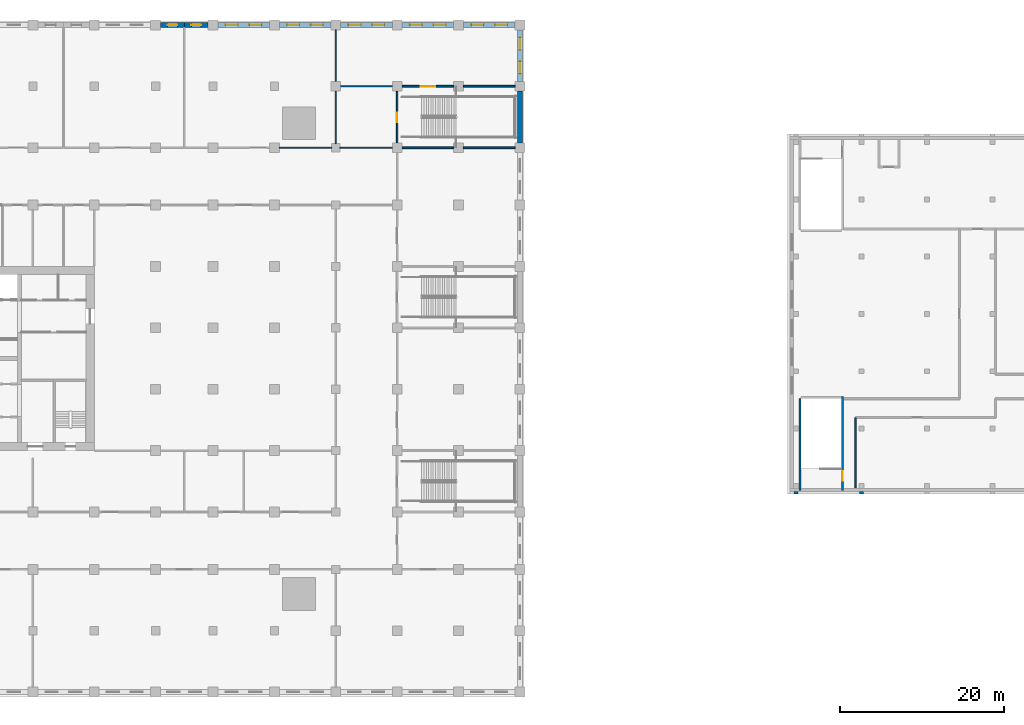
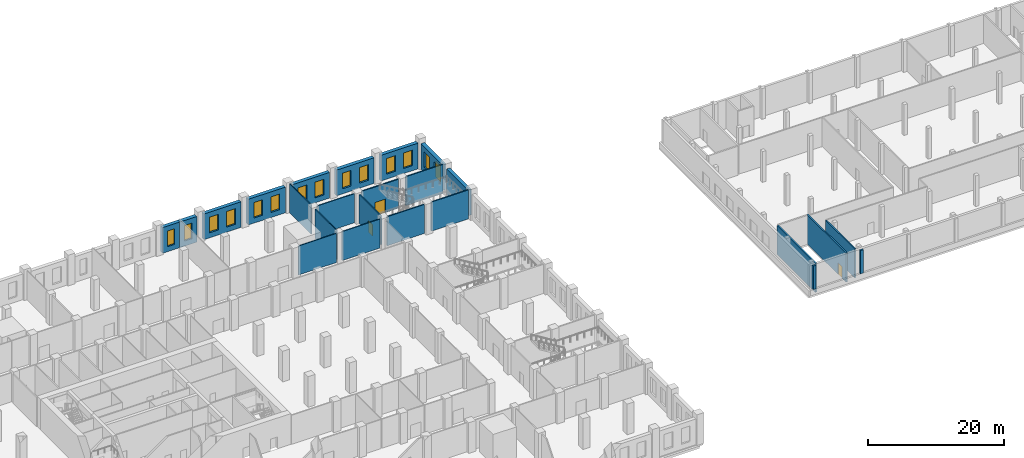
# One storey, part 10 of 25: 24 walls, 14 windows, 3 doors, 17 openings.
"""IFC4 building model written with IfcOpenShell, lengths in metres."""

from ifc_helpers import new_model, si_unit, direction, frame, frame_2d, origin, place, context, subcontext, project, spatial, rectangle, extrude, material, layer, layer_set, type_object, element, fill, save


model = new_model("IFC4")

# Units and contexts
model_context = context("Model", 3, precision=1e-05, world=origin(), true_north=direction((0.0, 1.0)))
body_context = subcontext(model_context, "Body", "Model", "MODEL_VIEW")
ifc_project = project(units=[si_unit("LENGTHUNIT", "METRE"), si_unit("AREAUNIT", "SQUARE_METRE"), si_unit("VOLUMEUNIT", "CUBIC_METRE"), si_unit("PLANEANGLEUNIT", "RADIAN"), si_unit("MASSUNIT", "GRAM", prefix="KILO")], contexts=[model_context])

# Site, building, storey
site_placement = place(None, origin())
site = spatial("IfcSite", under=ifc_project, at=site_placement, CompositionType="ELEMENT")
building_placement = place(site_placement, origin())
building = spatial("IfcBuilding", under=site, at=building_placement, Name="Tamorin Gate", CompositionType="ELEMENT")
storey_placement = place(building_placement, frame((0.0, 0.0, 23.5)))
storey = spatial("IfcBuildingStorey", under=building, at=storey_placement, Name="L04", CompositionType="ELEMENT", Elevation=23.5)

# Walls
ifc_material_1 = material(Name="Dense blockwork, plastered", Category="masonry")
ifc_layer_1 = layer(ifc_material_1, 0.199951171875)
ifc_layer_set_1 = layer_set([ifc_layer_1], Name="Blockwork partition 200")
wall_type_1 = type_object("IfcWallType", Name="Blockwork partition 200", PredefinedType="PARTITIONING", material=ifc_layer_set_1)
wall_1_placement = place(storey_placement, frame((153.0, 55.449951171875, 0.0), z_axis=(0.0, 0.0, 1.0), x_axis=(0.0, 1.0, 0.0)))
element("IfcWall", 1, at=wall_1_placement, inside=storey, type_object=wall_type_1, Name="Partition", PredefinedType="PARTITIONING", context=body_context, shape_type="SweptSolid", body=[
    extrude(rectangle(XDim=8.580078125, YDim=0.199951171875, at=frame_2d((4.2900390625, 0.0))), origin(), (0.0, 0.0, 1.0), 5.199951171875),
])
ifc_material_2 = material(Name="Concrete C40/50", Category="concrete")
ifc_layer_2 = layer(ifc_material_2, 0.25)
ifc_layer_set_2 = layer_set([ifc_layer_2], Name="Museum stair and lift enclosure wall 250 C40/50")
wall_type_2 = type_object("IfcWallType", Name="Museum stair and lift enclosure wall 250 C40/50", PredefinedType="SHEAR", material=ifc_layer_set_2)
wall_2_placement = place(storey_placement, frame((146.175048828125, 55.14990234375, 0.0), z_axis=(0.0, 0.0, 1.0), x_axis=(0.0, 1.0, 0.0)))
element("IfcWall", 2, at=wall_2_placement, inside=storey, type_object=wall_type_2, Name="Stair PS8 wall", PredefinedType="SHEAR", context=body_context, shape_type="SweptSolid", body=[
    extrude(rectangle(XDim=11.210205078125, YDim=0.25, at=frame_2d((5.60498046875, 0.0))), origin(), (0.0, 0.0, 1.0), 5.199951171875),
])

# Wall, opening, door
wall_3_placement = place(storey_placement, frame((151.375, 55.14990234375, 0.0), z_axis=(0.0, 0.0, 1.0), x_axis=(0.0, 1.0, 0.0)))
wall_3 = element("IfcWall", 3, at=wall_3_placement, inside=storey, type_object=wall_type_2, Name="Stair PS8 wall", PredefinedType="SHEAR", context=body_context, shape_type="SweptSolid", body=[
    extrude(rectangle(XDim=11.460205078125, YDim=0.25, at=frame_2d((5.72998046875, 0.0))), origin(), (0.0, 0.0, 1.0), 5.199951171875),
])
opening_1_placement = place(wall_3_placement, frame((1.14990234375, 0.0, 0.0)))
opening_1 = element("IfcOpeningElement", 4, at=opening_1_placement, cuts=wall_3, Name="Opening DM18", PredefinedType="OPENING", context=body_context, shape_type="SweptSolid", body=[
    extrude(rectangle(XDim=1.199951171875, YDim=2.10009765625, at=frame_2d((0.60009765625, 1.050048828125))), frame((0.0, 0.135009765625, 0.0), z_axis=(0.0, -1.0, 0.0), x_axis=(1.0, 0.0, 0.0)), (0.0, 0.0, 1.0), 0.27001953125),
])
ifc_material_3 = material(Name="Steel, painted", Category="steel")
door_type_1 = type_object("IfcDoorType", Name="Museum stair door 1200x2100 FD90", OperationType="SINGLE_SWING_LEFT", PredefinedType="DOOR", material=ifc_material_3)
door_1_placement = place(opening_1_placement, origin())
door_1 = element("IfcDoor", 5, at=door_1_placement, inside=storey, type_object=door_type_1, Name="Stair door", OperationType="SINGLE_SWING_RIGHT", OverallHeight=2.10009765625, OverallWidth=1.199951171875, PredefinedType="DOOR", context=body_context, shape_type="SweptSolid", body=[
    extrude(rectangle(XDim=1.199951171875, YDim=2.10009765625, at=frame_2d((0.60009765625, 1.050048828125))), frame((0.0, 0.02490234375, 0.0), z_axis=(0.0, -1.0, 0.0), x_axis=(1.0, 0.0, 0.0)), (0.0, 0.0, 1.0), 0.050048828125),
])
fill(opening_1, door_1)

# Walls
ifc_material_4 = material(Name="Concrete masonry C20/25", Category="masonry")
ifc_layer_3 = layer(ifc_material_4, 0.14990234375)
ifc_layer_set_3 = layer_set([ifc_layer_3], Name="Partition 150")
wall_type_3 = type_object("IfcWallType", Name="Partition 150", PredefinedType="PARTITIONING", material=ifc_layer_set_3)
for number, where, z_axis, x_axis, name in (
    (6, (82.60009765625, 97.0, 0.0), (0.0, 0.0, 1.0), (1.0, 0.0, 0.0), "Partition 150 L04"),
    (7, (90.0, 97.0, 0.0), (0.0, 0.0, 1.0), (1.0, 0.0, 0.0), "Partition 150 L04"),
):
    element("IfcWall", number, at=place(storey_placement, frame(where, z_axis=z_axis, x_axis=x_axis)), inside=storey, type_object=wall_type_3, Name=name, PredefinedType="PARTITIONING", context=body_context, shape_type="SweptSolid", body=[
        extrude(rectangle(XDim=6.39990234375, YDim=0.14990234375, at=frame_2d((3.199951171875, 0.0))), origin(), (0.0, 0.0, 1.0), 5.199951171875),
    ])
wall_4_placement = place(storey_placement, frame((90.10009765625, 104.5, 0.0), z_axis=(0.0, 0.0, 1.0), x_axis=(1.0, 0.0, 0.0)))
element("IfcWall", 8, at=wall_4_placement, inside=storey, type_object=wall_type_3, Name="Partition 150 L04", PredefinedType="PARTITIONING", context=body_context, shape_type="SweptSolid", body=[
    extrude(rectangle(XDim=6.2998046875, YDim=0.14990234375, at=frame_2d((3.14990234375, 0.0))), origin(), (0.0, 0.0, 1.0), 5.199951171875),
])
wall_5_placement = place(storey_placement, frame((89.5, 97.5, 0.0), z_axis=(0.0, 0.0, 1.0), x_axis=(0.0, 1.0, 0.0)))
element("IfcWall", 9, at=wall_5_placement, inside=storey, type_object=wall_type_3, Name="Partition 150 L04", PredefinedType="PARTITIONING", context=body_context, shape_type="SweptSolid", body=[
    extrude(rectangle(XDim=6.39990234375, YDim=0.14990234375, at=frame_2d((3.199951171875, 0.0))), origin(), (0.0, 0.0, 1.0), 5.199951171875),
])
wall_6_placement = place(storey_placement, frame((89.5, 105.10009765625, 0.0), z_axis=(0.0, 0.0, 1.0), x_axis=(0.0, 1.0, 0.0)))
element("IfcWall", 10, at=wall_6_placement, inside=storey, type_object=wall_type_3, Name="Partition 150 L04", PredefinedType="PARTITIONING", context=body_context, shape_type="SweptSolid", body=[
    extrude(rectangle(XDim=6.2998046875, YDim=0.14990234375, at=frame_2d((3.14990234375, 0.0))), origin(), (0.0, 0.0, 1.0), 5.199951171875),
])

# Wall, opening, window
ifc_material_5 = material(Name="Precast concrete C40/50", Category="concrete")
ifc_layer_4 = layer(ifc_material_5, 0.60009765625)
ifc_layer_set_4 = layer_set([ifc_layer_4], Name="Precast concrete C40/50")
wall_type_4 = type_object("IfcWallType", Name="Precast plinth wall 600", PredefinedType="PARTITIONING", material=ifc_layer_set_4)
wall_7_placement = place(storey_placement, frame((68.10009765625, 112.0, 0.0), z_axis=(0.0, 0.0, 1.0), x_axis=(1.0, 0.0, 0.0)))
wall_7 = element("IfcWall", 11, at=wall_7_placement, inside=storey, type_object=wall_type_4, Name="Precast plinth wall 600 L04", PredefinedType="PARTITIONING", context=body_context, shape_type="SweptSolid", body=[
    extrude(rectangle(XDim=2.89990234375, YDim=0.60009765625, at=frame_2d((1.449951171875, 0.0))), origin(), (0.0, 0.0, 1.0), 4.60009765625),
])
opening_2_placement = place(wall_7_placement, frame((0.85009765625, 0.0, 0.89990234375)))
opening_2 = element("IfcOpeningElement", 12, at=opening_2_placement, cuts=wall_7, Name="Opening PWN4", PredefinedType="OPENING", context=body_context, shape_type="SweptSolid", body=[
    extrude(rectangle(XDim=1.199951171875, YDim=2.800048828125, at=frame_2d((0.60009765625, 1.39990234375))), frame((0.0, 0.31005859375, 0.0), z_axis=(0.0, -1.0, 0.0), x_axis=(1.0, 0.0, 0.0)), (0.0, 0.0, 1.0), 0.6201171875),
])
ifc_material_6 = material(Name="Aluminium and glass", Category="aluminium")
window_type_1 = type_object("IfcWindowType", Name="Plinth window 1200x2800", PartitioningType="DOUBLE_PANEL_VERTICAL", PredefinedType="WINDOW", material=ifc_material_6)
window_1_placement = place(opening_2_placement, origin())
window_1 = element("IfcWindow", 13, at=window_1_placement, inside=storey, type_object=window_type_1, Name="Plinth window 1200x2800", OverallHeight=2.800048828125, OverallWidth=1.199951171875, PartitioningType="SINGLE_PANEL", PredefinedType="WINDOW", context=body_context, shape_type="SweptSolid", body=[
    extrude(rectangle(XDim=1.199951171875, YDim=2.800048828125, at=frame_2d((0.60009765625, 1.39990234375))), frame((0.0, 0.030029296875, 0.0), z_axis=(0.0, -1.0, 0.0), x_axis=(1.0, 0.0, 0.0)), (0.0, 0.0, 1.0), 0.06005859375),
])
fill(opening_2, window_1)

wall_8_placement = place(storey_placement, frame((71.0, 112.0, 0.0), z_axis=(0.0, 0.0, 1.0), x_axis=(1.0, 0.0, 0.0)))
wall_8 = element("IfcWall", 14, at=wall_8_placement, inside=storey, type_object=wall_type_4, Name="Precast plinth wall 600 L04", PredefinedType="PARTITIONING", context=body_context, shape_type="SweptSolid", body=[
    extrude(rectangle(XDim=2.89990234375, YDim=0.60009765625, at=frame_2d((1.449951171875, 0.0))), origin(), (0.0, 0.0, 1.0), 4.60009765625),
])
opening_3_placement = place(wall_8_placement, frame((0.85009765625, 0.0, 0.89990234375)))
opening_3 = element("IfcOpeningElement", 15, at=opening_3_placement, cuts=wall_8, Name="Opening PWN4", PredefinedType="OPENING", context=body_context, shape_type="SweptSolid", body=[
    extrude(rectangle(XDim=1.199951171875, YDim=2.800048828125, at=frame_2d((0.60009765625, 1.39990234375))), frame((0.0, 0.31005859375, 0.0), z_axis=(0.0, -1.0, 0.0), x_axis=(1.0, 0.0, 0.0)), (0.0, 0.0, 1.0), 0.6201171875),
])
window_2_placement = place(opening_3_placement, origin())
window_2 = element("IfcWindow", 16, at=window_2_placement, inside=storey, type_object=window_type_1, Name="Plinth window 1200x2800", OverallHeight=2.800048828125, OverallWidth=1.199951171875, PartitioningType="SINGLE_PANEL", PredefinedType="WINDOW", context=body_context, shape_type="SweptSolid", body=[
    extrude(rectangle(XDim=1.199951171875, YDim=2.800048828125, at=frame_2d((0.60009765625, 1.39990234375))), frame((0.0, 0.030029296875, 0.0), z_axis=(0.0, -1.0, 0.0), x_axis=(1.0, 0.0, 0.0)), (0.0, 0.0, 1.0), 0.06005859375),
])
fill(opening_3, window_2)

# Wall, openings, windows
wall_9_placement = place(storey_placement, frame((75.10009765625, 112.0, 0.0), z_axis=(0.0, 0.0, 1.0), x_axis=(1.0, 0.0, 0.0)))
wall_9 = element("IfcWall", 17, at=wall_9_placement, inside=storey, type_object=wall_type_4, Name="Precast plinth wall 600 L04", PredefinedType="PARTITIONING", context=body_context, shape_type="SweptSolid", body=[
    extrude(rectangle(XDim=6.2998046875, YDim=0.60009765625, at=frame_2d((3.14990234375, 0.0))), origin(), (0.0, 0.0, 1.0), 4.60009765625),
])
opening_4_placement = place(wall_9_placement, frame((0.950927734375, 0.0, 0.89990234375)))
opening_4 = element("IfcOpeningElement", 18, at=opening_4_placement, cuts=wall_9, Name="Opening PWN5", PredefinedType="OPENING", context=body_context, shape_type="SweptSolid", body=[
    extrude(rectangle(XDim=1.5, YDim=2.800048828125, at=frame_2d((0.75, 1.39990234375))), frame((0.0, 0.31005859375, 0.0), z_axis=(0.0, -1.0, 0.0), x_axis=(1.0, 0.0, 0.0)), (0.0, 0.0, 1.0), 0.6201171875),
])
opening_5_placement = place(wall_9_placement, frame((3.84912109375, 0.0, 0.89990234375)))
opening_5 = element("IfcOpeningElement", 19, at=opening_5_placement, cuts=wall_9, Name="Opening PWN5", PredefinedType="OPENING", context=body_context, shape_type="SweptSolid", body=[
    extrude(rectangle(XDim=1.5, YDim=2.800048828125, at=frame_2d((0.75, 1.39990234375))), frame((0.0, 0.31005859375, 0.0), z_axis=(0.0, -1.0, 0.0), x_axis=(1.0, 0.0, 0.0)), (0.0, 0.0, 1.0), 0.6201171875),
])
window_type_2 = type_object("IfcWindowType", Name="Plinth window 1500x2800", PartitioningType="DOUBLE_PANEL_VERTICAL", PredefinedType="WINDOW", material=ifc_material_6)
window_3_placement = place(opening_4_placement, origin())
window_3 = element("IfcWindow", 20, at=window_3_placement, inside=storey, type_object=window_type_2, Name="Plinth window 1500x2800", OverallHeight=2.800048828125, OverallWidth=1.5, PartitioningType="SINGLE_PANEL", PredefinedType="WINDOW", context=body_context, shape_type="SweptSolid", body=[
    extrude(rectangle(XDim=1.5, YDim=2.800048828125, at=frame_2d((0.75, 1.39990234375))), frame((0.0, 0.030029296875, 0.0), z_axis=(0.0, -1.0, 0.0), x_axis=(1.0, 0.0, 0.0)), (0.0, 0.0, 1.0), 0.06005859375),
])
fill(opening_4, window_3)
window_4_placement = place(opening_5_placement, origin())
window_4 = element("IfcWindow", 21, at=window_4_placement, inside=storey, type_object=window_type_2, Name="Plinth window 1500x2800", OverallHeight=2.800048828125, OverallWidth=1.5, PartitioningType="SINGLE_PANEL", PredefinedType="WINDOW", context=body_context, shape_type="SweptSolid", body=[
    extrude(rectangle(XDim=1.5, YDim=2.800048828125, at=frame_2d((0.75, 1.39990234375))), frame((0.0, 0.030029296875, 0.0), z_axis=(0.0, -1.0, 0.0), x_axis=(1.0, 0.0, 0.0)), (0.0, 0.0, 1.0), 0.06005859375),
])
fill(opening_5, window_4)

wall_10_placement = place(storey_placement, frame((82.60009765625, 112.0, 0.0), z_axis=(0.0, 0.0, 1.0), x_axis=(1.0, 0.0, 0.0)))
wall_10 = element("IfcWall", 22, at=wall_10_placement, inside=storey, type_object=wall_type_4, Name="Precast plinth wall 600 L04", PredefinedType="PARTITIONING", context=body_context, shape_type="SweptSolid", body=[
    extrude(rectangle(XDim=6.2998046875, YDim=0.60009765625, at=frame_2d((3.14990234375, 0.0))), origin(), (0.0, 0.0, 1.0), 4.60009765625),
])
opening_6_placement = place(wall_10_placement, frame((0.950927734375, 0.0, 0.89990234375)))
opening_6 = element("IfcOpeningElement", 23, at=opening_6_placement, cuts=wall_10, Name="Opening PWN5", PredefinedType="OPENING", context=body_context, shape_type="SweptSolid", body=[
    extrude(rectangle(XDim=1.5, YDim=2.800048828125, at=frame_2d((0.75, 1.39990234375))), frame((0.0, 0.31005859375, 0.0), z_axis=(0.0, -1.0, 0.0), x_axis=(1.0, 0.0, 0.0)), (0.0, 0.0, 1.0), 0.6201171875),
])
opening_7_placement = place(wall_10_placement, frame((3.84912109375, 0.0, 0.89990234375)))
opening_7 = element("IfcOpeningElement", 24, at=opening_7_placement, cuts=wall_10, Name="Opening PWN5", PredefinedType="OPENING", context=body_context, shape_type="SweptSolid", body=[
    extrude(rectangle(XDim=1.5, YDim=2.800048828125, at=frame_2d((0.75, 1.39990234375))), frame((0.0, 0.31005859375, 0.0), z_axis=(0.0, -1.0, 0.0), x_axis=(1.0, 0.0, 0.0)), (0.0, 0.0, 1.0), 0.6201171875),
])
window_5_placement = place(opening_6_placement, origin())
window_5 = element("IfcWindow", 25, at=window_5_placement, inside=storey, type_object=window_type_2, Name="Plinth window 1500x2800", OverallHeight=2.800048828125, OverallWidth=1.5, PartitioningType="SINGLE_PANEL", PredefinedType="WINDOW", context=body_context, shape_type="SweptSolid", body=[
    extrude(rectangle(XDim=1.5, YDim=2.800048828125, at=frame_2d((0.75, 1.39990234375))), frame((0.0, 0.030029296875, 0.0), z_axis=(0.0, -1.0, 0.0), x_axis=(1.0, 0.0, 0.0)), (0.0, 0.0, 1.0), 0.06005859375),
])
fill(opening_6, window_5)
window_6_placement = place(opening_7_placement, origin())
window_6 = element("IfcWindow", 26, at=window_6_placement, inside=storey, type_object=window_type_2, Name="Plinth window 1500x2800", OverallHeight=2.800048828125, OverallWidth=1.5, PartitioningType="SINGLE_PANEL", PredefinedType="WINDOW", context=body_context, shape_type="SweptSolid", body=[
    extrude(rectangle(XDim=1.5, YDim=2.800048828125, at=frame_2d((0.75, 1.39990234375))), frame((0.0, 0.030029296875, 0.0), z_axis=(0.0, -1.0, 0.0), x_axis=(1.0, 0.0, 0.0)), (0.0, 0.0, 1.0), 0.06005859375),
])
fill(opening_7, window_6)

wall_11_placement = place(storey_placement, frame((90.10009765625, 112.0, 0.0), z_axis=(0.0, 0.0, 1.0), x_axis=(1.0, 0.0, 0.0)))
wall_11 = element("IfcWall", 27, at=wall_11_placement, inside=storey, type_object=wall_type_4, Name="Precast plinth wall 600 L04", PredefinedType="PARTITIONING", context=body_context, shape_type="SweptSolid", body=[
    extrude(rectangle(XDim=6.2998046875, YDim=0.60009765625, at=frame_2d((3.14990234375, 0.0))), origin(), (0.0, 0.0, 1.0), 4.60009765625),
])
opening_8_placement = place(wall_11_placement, frame((0.950927734375, 0.0, 0.89990234375)))
opening_8 = element("IfcOpeningElement", 28, at=opening_8_placement, cuts=wall_11, Name="Opening PWN5", PredefinedType="OPENING", context=body_context, shape_type="SweptSolid", body=[
    extrude(rectangle(XDim=1.5, YDim=2.800048828125, at=frame_2d((0.75, 1.39990234375))), frame((0.0, 0.31005859375, 0.0), z_axis=(0.0, -1.0, 0.0), x_axis=(1.0, 0.0, 0.0)), (0.0, 0.0, 1.0), 0.6201171875),
])
opening_9_placement = place(wall_11_placement, frame((3.84912109375, 0.0, 0.89990234375)))
opening_9 = element("IfcOpeningElement", 29, at=opening_9_placement, cuts=wall_11, Name="Opening PWN5", PredefinedType="OPENING", context=body_context, shape_type="SweptSolid", body=[
    extrude(rectangle(XDim=1.5, YDim=2.800048828125, at=frame_2d((0.75, 1.39990234375))), frame((0.0, 0.31005859375, 0.0), z_axis=(0.0, -1.0, 0.0), x_axis=(1.0, 0.0, 0.0)), (0.0, 0.0, 1.0), 0.6201171875),
])
window_7_placement = place(opening_8_placement, origin())
window_7 = element("IfcWindow", 30, at=window_7_placement, inside=storey, type_object=window_type_2, Name="Plinth window 1500x2800", OverallHeight=2.800048828125, OverallWidth=1.5, PartitioningType="SINGLE_PANEL", PredefinedType="WINDOW", context=body_context, shape_type="SweptSolid", body=[
    extrude(rectangle(XDim=1.5, YDim=2.800048828125, at=frame_2d((0.75, 1.39990234375))), frame((0.0, 0.030029296875, 0.0), z_axis=(0.0, -1.0, 0.0), x_axis=(1.0, 0.0, 0.0)), (0.0, 0.0, 1.0), 0.06005859375),
])
fill(opening_8, window_7)
window_8_placement = place(opening_9_placement, origin())
window_8 = element("IfcWindow", 31, at=window_8_placement, inside=storey, type_object=window_type_2, Name="Plinth window 1500x2800", OverallHeight=2.800048828125, OverallWidth=1.5, PartitioningType="SINGLE_PANEL", PredefinedType="WINDOW", context=body_context, shape_type="SweptSolid", body=[
    extrude(rectangle(XDim=1.5, YDim=2.800048828125, at=frame_2d((0.75, 1.39990234375))), frame((0.0, 0.030029296875, 0.0), z_axis=(0.0, -1.0, 0.0), x_axis=(1.0, 0.0, 0.0)), (0.0, 0.0, 1.0), 0.06005859375),
])
fill(opening_9, window_8)

wall_12_placement = place(storey_placement, frame((97.60009765625, 112.0, 0.0), z_axis=(0.0, 0.0, 1.0), x_axis=(1.0, 0.0, 0.0)))
wall_12 = element("IfcWall", 32, at=wall_12_placement, inside=storey, type_object=wall_type_4, Name="Precast plinth wall 600 L04", PredefinedType="PARTITIONING", context=body_context, shape_type="SweptSolid", body=[
    extrude(rectangle(XDim=6.2998046875, YDim=0.60009765625, at=frame_2d((3.14990234375, 0.0))), origin(), (0.0, 0.0, 1.0), 4.60009765625),
])
opening_10_placement = place(wall_12_placement, frame((0.950927734375, 0.0, 0.89990234375)))
opening_10 = element("IfcOpeningElement", 33, at=opening_10_placement, cuts=wall_12, Name="Opening PWN5", PredefinedType="OPENING", context=body_context, shape_type="SweptSolid", body=[
    extrude(rectangle(XDim=1.5, YDim=2.800048828125, at=frame_2d((0.75, 1.39990234375))), frame((0.0, 0.31005859375, 0.0), z_axis=(0.0, -1.0, 0.0), x_axis=(1.0, 0.0, 0.0)), (0.0, 0.0, 1.0), 0.6201171875),
])
opening_11_placement = place(wall_12_placement, frame((3.84912109375, 0.0, 0.89990234375)))
opening_11 = element("IfcOpeningElement", 34, at=opening_11_placement, cuts=wall_12, Name="Opening PWN5", PredefinedType="OPENING", context=body_context, shape_type="SweptSolid", body=[
    extrude(rectangle(XDim=1.5, YDim=2.800048828125, at=frame_2d((0.75, 1.39990234375))), frame((0.0, 0.31005859375, 0.0), z_axis=(0.0, -1.0, 0.0), x_axis=(1.0, 0.0, 0.0)), (0.0, 0.0, 1.0), 0.6201171875),
])
window_9_placement = place(opening_10_placement, origin())
window_9 = element("IfcWindow", 35, at=window_9_placement, inside=storey, type_object=window_type_2, Name="Plinth window 1500x2800", OverallHeight=2.800048828125, OverallWidth=1.5, PartitioningType="SINGLE_PANEL", PredefinedType="WINDOW", context=body_context, shape_type="SweptSolid", body=[
    extrude(rectangle(XDim=1.5, YDim=2.800048828125, at=frame_2d((0.75, 1.39990234375))), frame((0.0, 0.030029296875, 0.0), z_axis=(0.0, -1.0, 0.0), x_axis=(1.0, 0.0, 0.0)), (0.0, 0.0, 1.0), 0.06005859375),
])
fill(opening_10, window_9)
window_10_placement = place(opening_11_placement, origin())
window_10 = element("IfcWindow", 36, at=window_10_placement, inside=storey, type_object=window_type_2, Name="Plinth window 1500x2800", OverallHeight=2.800048828125, OverallWidth=1.5, PartitioningType="SINGLE_PANEL", PredefinedType="WINDOW", context=body_context, shape_type="SweptSolid", body=[
    extrude(rectangle(XDim=1.5, YDim=2.800048828125, at=frame_2d((0.75, 1.39990234375))), frame((0.0, 0.030029296875, 0.0), z_axis=(0.0, -1.0, 0.0), x_axis=(1.0, 0.0, 0.0)), (0.0, 0.0, 1.0), 0.06005859375),
])
fill(opening_11, window_10)

wall_13_placement = place(storey_placement, frame((105.10009765625, 112.0, 0.0), z_axis=(0.0, 0.0, 1.0), x_axis=(1.0, 0.0, 0.0)))
wall_13 = element("IfcWall", 37, at=wall_13_placement, inside=storey, type_object=wall_type_4, Name="Precast plinth wall 600 L04", PredefinedType="PARTITIONING", context=body_context, shape_type="SweptSolid", body=[
    extrude(rectangle(XDim=6.2998046875, YDim=0.60009765625, at=frame_2d((3.14990234375, 0.0))), origin(), (0.0, 0.0, 1.0), 4.60009765625),
])
opening_12_placement = place(wall_13_placement, frame((0.950927734375, 0.0, 0.89990234375)))
opening_12 = element("IfcOpeningElement", 38, at=opening_12_placement, cuts=wall_13, Name="Opening PWN5", PredefinedType="OPENING", context=body_context, shape_type="SweptSolid", body=[
    extrude(rectangle(XDim=1.5, YDim=2.800048828125, at=frame_2d((0.75, 1.39990234375))), frame((0.0, 0.31005859375, 0.0), z_axis=(0.0, -1.0, 0.0), x_axis=(1.0, 0.0, 0.0)), (0.0, 0.0, 1.0), 0.6201171875),
])
opening_13_placement = place(wall_13_placement, frame((3.84912109375, 0.0, 0.89990234375)))
opening_13 = element("IfcOpeningElement", 39, at=opening_13_placement, cuts=wall_13, Name="Opening PWN5", PredefinedType="OPENING", context=body_context, shape_type="SweptSolid", body=[
    extrude(rectangle(XDim=1.5, YDim=2.800048828125, at=frame_2d((0.75, 1.39990234375))), frame((0.0, 0.31005859375, 0.0), z_axis=(0.0, -1.0, 0.0), x_axis=(1.0, 0.0, 0.0)), (0.0, 0.0, 1.0), 0.6201171875),
])
window_11_placement = place(opening_12_placement, origin())
window_11 = element("IfcWindow", 40, at=window_11_placement, inside=storey, type_object=window_type_2, Name="Plinth window 1500x2800", OverallHeight=2.800048828125, OverallWidth=1.5, PartitioningType="SINGLE_PANEL", PredefinedType="WINDOW", context=body_context, shape_type="SweptSolid", body=[
    extrude(rectangle(XDim=1.5, YDim=2.800048828125, at=frame_2d((0.75, 1.39990234375))), frame((0.0, 0.030029296875, 0.0), z_axis=(0.0, -1.0, 0.0), x_axis=(1.0, 0.0, 0.0)), (0.0, 0.0, 1.0), 0.06005859375),
])
fill(opening_12, window_11)
window_12_placement = place(opening_13_placement, origin())
window_12 = element("IfcWindow", 41, at=window_12_placement, inside=storey, type_object=window_type_2, Name="Plinth window 1500x2800", OverallHeight=2.800048828125, OverallWidth=1.5, PartitioningType="SINGLE_PANEL", PredefinedType="WINDOW", context=body_context, shape_type="SweptSolid", body=[
    extrude(rectangle(XDim=1.5, YDim=2.800048828125, at=frame_2d((0.75, 1.39990234375))), frame((0.0, 0.030029296875, 0.0), z_axis=(0.0, -1.0, 0.0), x_axis=(1.0, 0.0, 0.0)), (0.0, 0.0, 1.0), 0.06005859375),
])
fill(opening_13, window_12)

# Wall
wall_14_placement = place(storey_placement, frame((112.0, 97.60009765625, 0.0), z_axis=(0.0, 0.0, 1.0), x_axis=(0.0, 1.0, 0.0)))
element("IfcWall", 42, at=wall_14_placement, inside=storey, type_object=wall_type_4, Name="Precast plinth wall 600 L04", PredefinedType="PARTITIONING", context=body_context, shape_type="SweptSolid", body=[
    extrude(rectangle(XDim=6.2998046875, YDim=0.60009765625, at=frame_2d((3.14990234375, 0.0))), origin(), (0.0, 0.0, 1.0), 4.60009765625),
])

# Wall, openings, windows
wall_15_placement = place(storey_placement, frame((112.0, 105.10009765625, 0.0), z_axis=(0.0, 0.0, 1.0), x_axis=(0.0, 1.0, 0.0)))
wall_15 = element("IfcWall", 43, at=wall_15_placement, inside=storey, type_object=wall_type_4, Name="Precast plinth wall 600 L04", PredefinedType="PARTITIONING", context=body_context, shape_type="SweptSolid", body=[
    extrude(rectangle(XDim=6.2998046875, YDim=0.60009765625, at=frame_2d((3.14990234375, 0.0))), origin(), (0.0, 0.0, 1.0), 4.60009765625),
])
opening_14_placement = place(wall_15_placement, frame((0.950927734375, 0.0, 0.89990234375)))
opening_14 = element("IfcOpeningElement", 44, at=opening_14_placement, cuts=wall_15, Name="Opening PWN5", PredefinedType="OPENING", context=body_context, shape_type="SweptSolid", body=[
    extrude(rectangle(XDim=1.5, YDim=2.800048828125, at=frame_2d((0.75, 1.39990234375))), frame((0.0, 0.31005859375, 0.0), z_axis=(0.0, -1.0, 0.0), x_axis=(1.0, 0.0, 0.0)), (0.0, 0.0, 1.0), 0.6201171875),
])
opening_15_placement = place(wall_15_placement, frame((3.84912109375, 0.0, 0.89990234375)))
opening_15 = element("IfcOpeningElement", 45, at=opening_15_placement, cuts=wall_15, Name="Opening PWN5", PredefinedType="OPENING", context=body_context, shape_type="SweptSolid", body=[
    extrude(rectangle(XDim=1.5, YDim=2.800048828125, at=frame_2d((0.75, 1.39990234375))), frame((0.0, 0.31005859375, 0.0), z_axis=(0.0, -1.0, 0.0), x_axis=(1.0, 0.0, 0.0)), (0.0, 0.0, 1.0), 0.6201171875),
])
window_13_placement = place(opening_14_placement, origin())
window_13 = element("IfcWindow", 46, at=window_13_placement, inside=storey, type_object=window_type_2, Name="Plinth window 1500x2800", OverallHeight=2.800048828125, OverallWidth=1.5, PartitioningType="SINGLE_PANEL", PredefinedType="WINDOW", context=body_context, shape_type="SweptSolid", body=[
    extrude(rectangle(XDim=1.5, YDim=2.800048828125, at=frame_2d((0.75, 1.39990234375))), frame((0.0, 0.030029296875, 0.0), z_axis=(0.0, -1.0, 0.0), x_axis=(1.0, 0.0, 0.0)), (0.0, 0.0, 1.0), 0.06005859375),
])
fill(opening_14, window_13)
window_14_placement = place(opening_15_placement, origin())
window_14 = element("IfcWindow", 47, at=window_14_placement, inside=storey, type_object=window_type_2, Name="Plinth window 1500x2800", OverallHeight=2.800048828125, OverallWidth=1.5, PartitioningType="SINGLE_PANEL", PredefinedType="WINDOW", context=body_context, shape_type="SweptSolid", body=[
    extrude(rectangle(XDim=1.5, YDim=2.800048828125, at=frame_2d((0.75, 1.39990234375))), frame((0.0, 0.030029296875, 0.0), z_axis=(0.0, -1.0, 0.0), x_axis=(1.0, 0.0, 0.0)), (0.0, 0.0, 1.0), 0.06005859375),
])
fill(opening_15, window_14)

# Walls
ifc_layer_5 = layer(ifc_material_2, 0.5)
ifc_layer_set_5 = layer_set([ifc_layer_5], Name="Precast rib wall 500 C40/50")
wall_type_5 = type_object("IfcWallType", Name="Precast rib wall 500 C40/50", PredefinedType="STANDARD", material=ifc_layer_set_5)
for number, where, z_axis, x_axis, name in (
    (48, (145.699951171875, 54.699951171875, 1.0), (0.0, 0.0, 1.0), (0.0, 1.0, 0.0), "Precast rib"),
    (49, (153.699951171875, 54.699951171875, 1.0), (0.0, 0.0, 1.0), (0.0, 1.0, 0.0), "Precast rib"),
):
    element("IfcWall", number, at=place(storey_placement, frame(where, z_axis=z_axis, x_axis=x_axis)), inside=storey, type_object=wall_type_5, Name=name, PredefinedType="STANDARD", context=body_context, shape_type="SweptSolid", body=[
        extrude(rectangle(XDim=0.300048828125, YDim=0.5, at=frame_2d((0.14990234375, 0.0))), origin(), (0.0, 0.0, 1.0), 4.199951171875),
    ])
ifc_layer_6 = layer(ifc_material_2, 0.199951171875)
ifc_layer_set_6 = layer_set([ifc_layer_6], Name="Stair enclosure 200")
wall_type_6 = type_object("IfcWallType", Name="Stair enclosure 200", PredefinedType="SHEAR", material=ifc_layer_set_6)
for number, where, z_axis, x_axis, name in (
    (50, (97.60009765625, 97.0, 0.0), (0.0, 0.0, 1.0), (1.0, 0.0, 0.0), "Stair enclosure 200 L04"),
    (51, (105.10009765625, 97.0, 0.0), (0.0, 0.0, 1.0), (1.0, 0.0, 0.0), "Stair enclosure 200 L04"),
):
    element("IfcWall", number, at=place(storey_placement, frame(where, z_axis=z_axis, x_axis=x_axis)), inside=storey, type_object=wall_type_6, Name=name, PredefinedType="SHEAR", context=body_context, shape_type="SweptSolid", body=[
        extrude(rectangle(XDim=6.2998046875, YDim=0.199951171875, at=frame_2d((3.14990234375, 0.0))), origin(), (0.0, 0.0, 1.0), 5.199951171875),
    ])

# Wall, opening, door
wall_16_placement = place(storey_placement, frame((103.89990234375, 104.5, 0.0), z_axis=(0.0, 0.0, 1.0), x_axis=(-1.0, 0.0, 0.0)))
wall_16 = element("IfcWall", 52, at=wall_16_placement, inside=storey, type_object=wall_type_6, Name="Stair enclosure 200 L04", PredefinedType="SHEAR", context=body_context, shape_type="SweptSolid", body=[
    extrude(rectangle(XDim=6.2998046875, YDim=0.199951171875, at=frame_2d((3.14990234375, 0.0))), origin(), (0.0, 0.0, 1.0), 5.199951171875),
])
opening_16_placement = place(wall_16_placement, frame((2.25, 0.0, 0.0)))
opening_16 = element("IfcOpeningElement", 53, at=opening_16_placement, cuts=wall_16, Name="Opening DP3", PredefinedType="OPENING", context=body_context, shape_type="SweptSolid", body=[
    extrude(rectangle(XDim=1.800048828125, YDim=2.39990234375, at=frame_2d((0.89990234375, 1.199951171875))), frame((0.0, 0.10986328125, 0.0), z_axis=(0.0, -1.0, 0.0), x_axis=(1.0, 0.0, 0.0)), (0.0, 0.0, 1.0), 0.219970703125),
])
ifc_material_7 = material(Name="Steel and glass", Category="steel")
door_type_2 = type_object("IfcDoorType", Name="Door pair 1800", OperationType="DOUBLE_DOOR_SINGLE_SWING", PredefinedType="DOOR", material=ifc_material_7)
door_2_placement = place(opening_16_placement, origin())
door_2 = element("IfcDoor", 54, at=door_2_placement, inside=storey, type_object=door_type_2, Name="Door pair 1800 L04", OperationType="SINGLE_SWING_LEFT", OverallHeight=2.39990234375, OverallWidth=1.800048828125, PredefinedType="DOOR", context=body_context, shape_type="SweptSolid", body=[
    extrude(rectangle(XDim=1.800048828125, YDim=2.39990234375, at=frame_2d((0.89990234375, 1.199951171875))), frame((0.0, 0.02490234375, 0.0), z_axis=(0.0, -1.0, 0.0), x_axis=(1.0, 0.0, 0.0)), (0.0, 0.0, 1.0), 0.050048828125),
])
fill(opening_16, door_2)

# Wall
wall_17_placement = place(storey_placement, frame((105.10009765625, 104.5, 0.0), z_axis=(0.0, 0.0, 1.0), x_axis=(1.0, 0.0, 0.0)))
element("IfcWall", 55, at=wall_17_placement, inside=storey, type_object=wall_type_6, Name="Stair enclosure 200 L04", PredefinedType="SHEAR", context=body_context, shape_type="SweptSolid", body=[
    extrude(rectangle(XDim=6.2998046875, YDim=0.199951171875, at=frame_2d((3.14990234375, 0.0))), origin(), (0.0, 0.0, 1.0), 5.199951171875),
])

# Wall, opening, door
wall_18_placement = place(storey_placement, frame((97.0, 103.89990234375, 0.0), z_axis=(0.0, 0.0, 1.0), x_axis=(0.0, -1.0, 0.0)))
wall_18 = element("IfcWall", 56, at=wall_18_placement, inside=storey, type_object=wall_type_6, Name="Stair enclosure 200 L04", PredefinedType="SHEAR", context=body_context, shape_type="SweptSolid", body=[
    extrude(rectangle(XDim=6.2998046875, YDim=0.199951171875, at=frame_2d((3.14990234375, 0.0))), origin(), (0.0, 0.0, 1.0), 5.199951171875),
])
opening_17_placement = place(wall_18_placement, frame((2.60009765625, 0.0, 0.0)))
opening_17 = element("IfcOpeningElement", 57, at=opening_17_placement, cuts=wall_18, Name="Opening DP5", PredefinedType="OPENING", context=body_context, shape_type="SweptSolid", body=[
    extrude(rectangle(XDim=1.199951171875, YDim=2.10009765625, at=frame_2d((0.60009765625, 1.050048828125))), frame((0.0, 0.10986328125, 0.0), z_axis=(0.0, -1.0, 0.0), x_axis=(1.0, 0.0, 0.0)), (0.0, 0.0, 1.0), 0.219970703125),
])
ifc_material_8 = material(Name="Painted steel", Category="steel")
door_type_3 = type_object("IfcDoorType", Name="Stair door 1200", OperationType="SINGLE_SWING_LEFT", PredefinedType="DOOR", material=ifc_material_8)
door_3_placement = place(opening_17_placement, origin())
door_3 = element("IfcDoor", 58, at=door_3_placement, inside=storey, type_object=door_type_3, Name="Stair door 1200 L04", OperationType="SINGLE_SWING_LEFT", OverallHeight=2.10009765625, OverallWidth=1.199951171875, PredefinedType="DOOR", context=body_context, shape_type="SweptSolid", body=[
    extrude(rectangle(XDim=1.199951171875, YDim=2.10009765625, at=frame_2d((0.60009765625, 1.050048828125))), frame((0.0, 0.02490234375, 0.0), z_axis=(0.0, -1.0, 0.0), x_axis=(1.0, 0.0, 0.0)), (0.0, 0.0, 1.0), 0.050048828125),
])
fill(opening_17, door_3)

save(model, "model.ifc")
